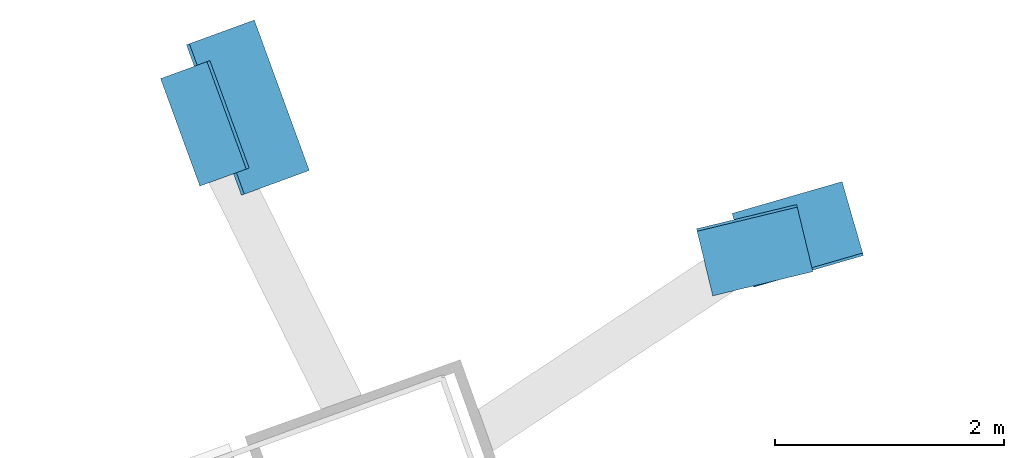
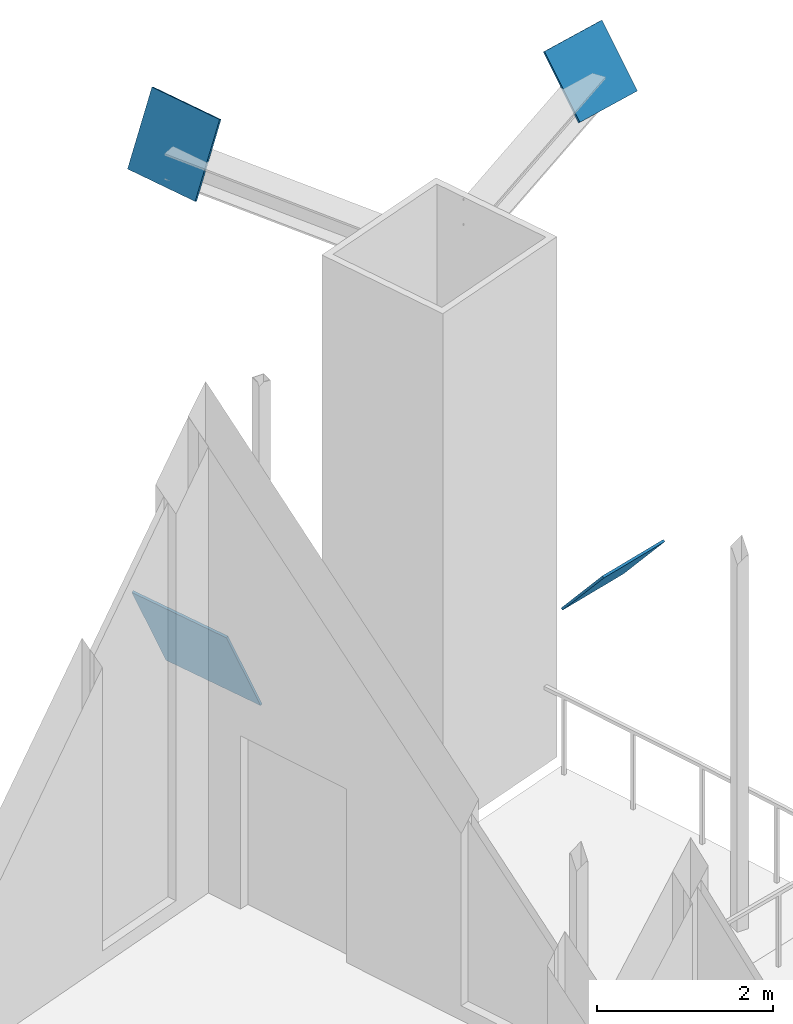
# One storey, part 22 of 27: 4 discrete accessories.
"""IFC4 building model written with IfcOpenShell, lengths in metres."""

from ifc_helpers import new_model, si_unit, direction, frame, origin, origin_2d, place, context, subcontext, project, spatial, rectangle, extrude, material, material_profile, profile_set, type_object, element, save


model = new_model("IFC4")

# Units and contexts
model_context = context("Model", 3, precision=1e-05, world=origin(), true_north=direction((0.0, 1.0)))
body_context = subcontext(model_context, "Body", "Model", "MODEL_VIEW")
ifc_project = project(units=[si_unit("LENGTHUNIT", "METRE"), si_unit("AREAUNIT", "SQUARE_METRE"), si_unit("VOLUMEUNIT", "CUBIC_METRE"), si_unit("PLANEANGLEUNIT", "RADIAN"), si_unit("MASSUNIT", "GRAM", prefix="KILO")], contexts=[model_context])

# Site, building, storey
site_placement = place(None, origin())
site = spatial("IfcSite", under=ifc_project, at=site_placement, CompositionType="ELEMENT")
building_placement = place(site_placement, origin())
building = spatial("IfcBuilding", under=site, at=building_placement, Name="Alderwake Tower", CompositionType="ELEMENT")
storey_placement = place(building_placement, frame((0.0, 0.0, 75.199951171875)))
storey = spatial("IfcBuildingStorey", under=building, at=storey_placement, Name="L18", CompositionType="ELEMENT", Elevation=75.199951171875)

# Discrete accessories
ifc_material_1 = material(Name="Steel ASTM A572 Grade 50", Category="steel")
ifc_material_profile_1 = material_profile(ifc_material_1, rectangle(XDim=1.0, YDim=1.0, at=origin_2d()), Name="BOX 1000X1000X60 cap")
ifc_profile_set_1 = profile_set([ifc_material_profile_1], Name="Steel ASTM A572 Grade 50")
discrete_accessory_type_1 = type_object("IfcDiscreteAccessoryType", Name="End cap plate BOX 1000X1000X60", PredefinedType="USERDEFINED", material=ifc_profile_set_1)
for number, where, z_axis, x_axis, name in (
    (1, (57.192138671875, 111.0791015625, 0.0), (-0.211054535295, 0.730573391407, 0.64939857014), (-0.960714182841, -0.277539652821, 0.0), "End cap BRF1.2.10A N"),
    (2, (51.995361328125, 112.056396484375, 7.199951171875), (0.847210096674, 0.309557535323, -0.431751299267), (-0.343192952924, 0.939264923791, 0.0), "End cap BRN2.1.0B1 S"),
):
    element("IfcDiscreteAccessory", number, at=place(storey_placement, frame(where, z_axis=z_axis, x_axis=x_axis)), inside=storey, type_object=discrete_accessory_type_1, Name=name, ObjectType="END CAP", PredefinedType="USERDEFINED", context=body_context, shape_type="SweptSolid", body=[
        extrude(rectangle(XDim=1.0, YDim=1.0, at=origin_2d()), origin(), (0.0, 0.0, 1.0), 0.030029296875),
    ])
ifc_material_2 = material(Name="Steel ASTM A572 Grade 50", Category="steel")
ifc_material_profile_2 = material_profile(ifc_material_2, rectangle(XDim=1.39990234375, YDim=1.39990234375, at=origin_2d()), Name="BOX 1400X1400X80 cap")
ifc_profile_set_2 = profile_set([ifc_material_profile_2], Name="Steel ASTM A572 Grade 50")
discrete_accessory_type_2 = type_object("IfcDiscreteAccessoryType", Name="End cap plate BOX 1400X1400X80", PredefinedType="USERDEFINED", material=ifc_profile_set_2)
discrete_accessory_1_placement = place(storey_placement, frame((52.37109375, 112.193603515625, 0.0), z_axis=(0.847210096674, 0.309557535323, 0.431751299267), x_axis=(-0.343192952924, 0.939264923791, 0.0)))
element("IfcDiscreteAccessory", 3, at=discrete_accessory_1_placement, inside=storey, type_object=discrete_accessory_type_2, Name="End cap BRN1.2.0A N", ObjectType="END CAP", PredefinedType="USERDEFINED", context=body_context, shape_type="SweptSolid", body=[
    extrude(rectangle(XDim=1.39990234375, YDim=1.39990234375, at=origin_2d()), origin(), (0.0, 0.0, 1.0), 0.030029296875),
])
ifc_material_3 = material(Name="Steel ASTM A572 Grade 50", Category="steel")
ifc_material_profile_3 = material_profile(ifc_material_3, rectangle(XDim=0.89990234375, YDim=0.89990234375, at=origin_2d()), Name="BOX 900X900X55 cap")
ifc_profile_set_3 = profile_set([ifc_material_profile_3], Name="Steel ASTM A572 Grade 50")
discrete_accessory_type_3 = type_object("IfcDiscreteAccessoryType", Name="End cap plate BOX 900X900X55", PredefinedType="USERDEFINED", material=ifc_profile_set_3)
discrete_accessory_2_placement = place(storey_placement, frame((56.815185546875, 110.94140625, 7.199951171875), z_axis=(-0.179593332729, 0.742863330832, -0.644903331162), x_axis=(-0.971998136057, -0.234988560365, 0.0)))
element("IfcDiscreteAccessory", 4, at=discrete_accessory_2_placement, inside=storey, type_object=discrete_accessory_type_3, Name="End cap BRF2.1.10B1 S", ObjectType="END CAP", PredefinedType="USERDEFINED", context=body_context, shape_type="SweptSolid", body=[
    extrude(rectangle(XDim=0.89990234375, YDim=0.89990234375, at=origin_2d()), origin(), (0.0, 0.0, 1.0), 0.02978515625),
])

save(model, "model.ifc")
